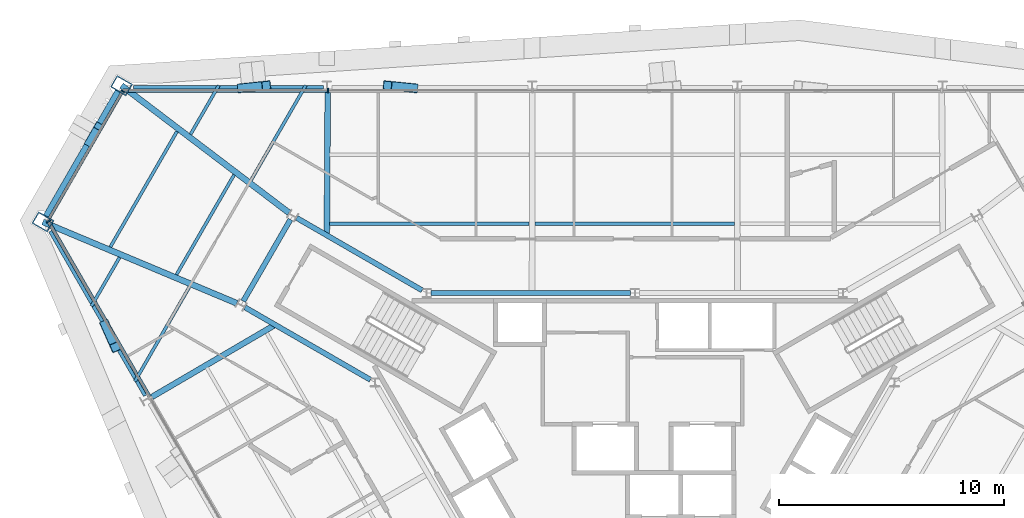
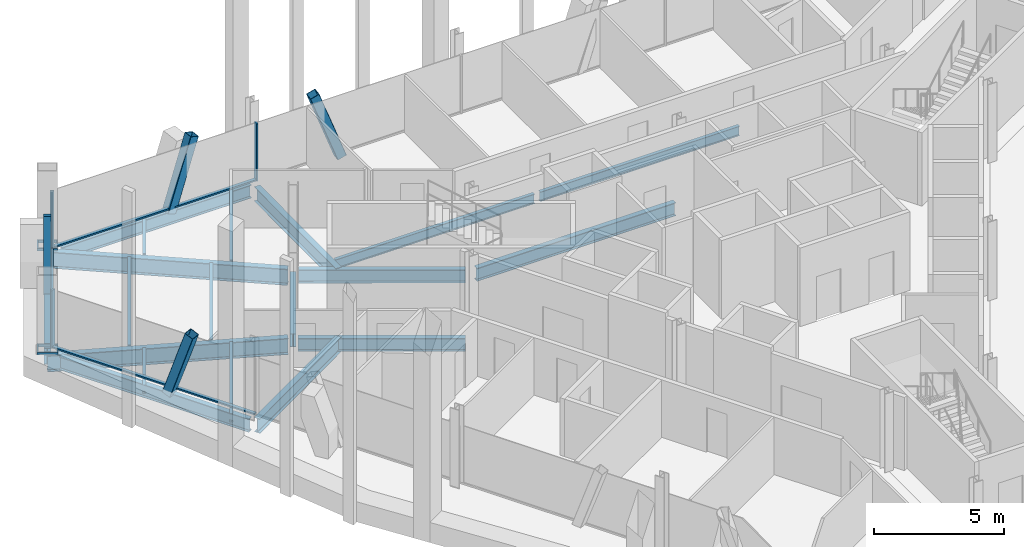
# One storey, part 6 of 16: 19 beams, 12 members, 3 elements without a shape of their own.
"""IFC4 building model written with IfcOpenShell, lengths in metres."""

from ifc_helpers import new_model, si_unit, direction, frame, origin, origin_2d, place, context, subcontext, project, spatial, rectangle, hollow_rectangle, i_section, extrude, material, material_profile, profile_set, type_object, element, aggregate, save


model = new_model("IFC4")

# Units and contexts
model_context = context("Model", 3, precision=1e-05, world=origin(), true_north=direction((0.0, 1.0)))
body_context = subcontext(model_context, "Body", "Model", "MODEL_VIEW")
ifc_project = project(units=[si_unit("LENGTHUNIT", "METRE"), si_unit("AREAUNIT", "SQUARE_METRE"), si_unit("VOLUMEUNIT", "CUBIC_METRE"), si_unit("PLANEANGLEUNIT", "RADIAN"), si_unit("MASSUNIT", "GRAM", prefix="KILO")], contexts=[model_context])

# Site, building, storey
site_placement = place(None, origin())
site = spatial("IfcSite", under=ifc_project, at=site_placement, CompositionType="ELEMENT")
building_placement = place(site_placement, origin())
building = spatial("IfcBuilding", under=site, at=building_placement, Name="Verrane Prism Tower", CompositionType="ELEMENT")
storey_placement = place(building_placement, frame((0.0, 0.0, 247.10009765625)))
storey = spatial("IfcBuildingStorey", under=building, at=storey_placement, Name="L62", CompositionType="ELEMENT", Elevation=247.10009765625)

# Member
ifc_material_1 = material(Name="Steel A500 Grade C", Category="steel")
ifc_material_profile_1 = material_profile(ifc_material_1, hollow_rectangle(XDim=0.3046875, YDim=0.3046875, WallThickness=0.0126953125, InnerFilletRadius=0.00634765625, OuterFilletRadius=0.01904296875, at=origin_2d()), Name="HSS12x12x1/2")
ifc_profile_set_1 = profile_set([ifc_material_profile_1], Name="Steel A500 Grade C")
member_type_1 = type_object("IfcMemberType", Name="Chamfer brace HSS12x12x1/2", PredefinedType="BRACE", material=ifc_profile_set_1)
member_1_placement = place(storey_placement, frame((-24.300048828125, 14.697998046875, -0.24267578125), z_axis=(0.130489501537, 0.226252569776, 0.965288694981), x_axis=(-0.866253239443, 0.499605169263, 0.0)))
element("IfcMember", 1, at=member_1_placement, inside=storey, type_object=member_type_1, Name="Chamfer brace NW0 L62", PredefinedType="BRACE", context=body_context, shape_type="SweptSolid", body=[
    extrude(hollow_rectangle(XDim=0.3046875, YDim=0.3046875, WallThickness=0.0126953125, InnerFilletRadius=0.00634765625, OuterFilletRadius=0.01904296875, at=origin_2d()), origin(), (0.0, 0.0, 1.0), 3.219970703125),
])

# Beams
ifc_material_2 = material(Name="Steel A992", Category="steel")
ifc_material_profile_2 = material_profile(ifc_material_2, i_section(OverallWidth=0.2666015625, OverallDepth=0.7568359375, WebThickness=0.013916015625, FlangeThickness=0.019287109375, FilletRadius=0.0166015625, at=origin_2d()), Name="W30x108")
ifc_profile_set_2 = profile_set([ifc_material_profile_2], Name="Steel A992")
beam_type_1 = type_object("IfcBeamType", Name="Chamfer spandrel beam W30x108", PredefinedType="SPANDREL", material=ifc_profile_set_2)
beam_1_placement = place(storey_placement, frame((-22.989990234375, 16.97021484375, -0.53857421875), z_axis=(-0.499500311129, -0.866313707142, 0.0), x_axis=(0.866313707142, -0.499500311129, 0.0)))
element("IfcBeam", 2, at=beam_1_placement, inside=storey, type_object=beam_type_1, Name="Chamfer spandrel beam L62", PredefinedType="SPANDREL", context=body_context, shape_type="SweptSolid", body=[
    extrude(i_section(OverallWidth=0.2666015625, OverallDepth=0.7568359375, WebThickness=0.013916015625, FlangeThickness=0.019287109375, FilletRadius=0.0166015625, at=origin_2d()), origin(), (0.0, 0.0, 1.0), 6.40673828125),
])
ifc_material_3 = material(Name="Steel A992", Category="steel")
ifc_material_profile_3 = material_profile(ifc_material_3, i_section(OverallWidth=0.23046875, OverallDepth=0.6171875, WebThickness=0.01318359375, FlangeThickness=0.022216796875, FilletRadius=0.012939453125, at=origin_2d()), Name="W24x94")
ifc_profile_set_3 = profile_set([ifc_material_profile_3], Name="Steel A992")
beam_type_2 = type_object("IfcBeamType", Name="Core ring girder W24x94", PredefinedType="BEAM", material=ifc_profile_set_3)
beam_2_placement = place(storey_placement, frame((-0.199462890625, 8.0, -0.55859375), z_axis=(-1.0, 0.0, 0.0), x_axis=(0.0, -1.0, 0.0)))
element("IfcBeam", 3, at=beam_2_placement, inside=storey, type_object=beam_type_2, Name="Core ring girder L62", PredefinedType="BEAM", context=body_context, shape_type="SweptSolid", body=[
    extrude(i_section(OverallWidth=0.23046875, OverallDepth=0.6171875, WebThickness=0.01318359375, FlangeThickness=0.022216796875, FilletRadius=0.012939453125, at=origin_2d()), origin(), (0.0, 0.0, 1.0), 8.861083984375),
])
beam_3_placement = place(storey_placement, frame((-9.45947265625, 8.114990234375, -0.55859375), z_axis=(-0.866080992722, 0.499903704773, 0.0), x_axis=(-0.499903704773, -0.866080992722, 0.0)))
element("IfcBeam", 4, at=beam_3_placement, inside=storey, type_object=beam_type_2, Name="Core ring girder L62", PredefinedType="BEAM", context=body_context, shape_type="SweptSolid", body=[
    extrude(i_section(OverallWidth=0.23046875, OverallDepth=0.6171875, WebThickness=0.01318359375, FlangeThickness=0.022216796875, FilletRadius=0.012939453125, at=origin_2d()), origin(), (0.0, 0.0, 1.0), 6.451904296875),
])
beam_4_placement = place(storey_placement, frame((-15.3203125, 11.266357421875, -0.55859375), z_axis=(-0.500375511519, -0.865808493532, 0.0), x_axis=(0.865808493532, -0.500375511519, 0.0)))
element("IfcBeam", 5, at=beam_4_placement, inside=storey, type_object=beam_type_2, Name="Core ring girder L62", PredefinedType="BEAM", context=body_context, shape_type="SweptSolid", body=[
    extrude(i_section(OverallWidth=0.23046875, OverallDepth=0.6171875, WebThickness=0.01318359375, FlangeThickness=0.022216796875, FilletRadius=0.012939453125, at=origin_2d()), origin(), (0.0, 0.0, 1.0), 4.195556640625),
])
beam_5_placement = place(storey_placement, frame((-17.347412109375, 7.3603515625, -0.55859375), z_axis=(0.866080992722, -0.499903704773, 0.0), x_axis=(0.499903704773, 0.866080992722, 0.0)))
element("IfcBeam", 6, at=beam_5_placement, inside=storey, type_object=beam_type_2, Name="Core ring girder L62", PredefinedType="BEAM", context=body_context, shape_type="SweptSolid", body=[
    extrude(i_section(OverallWidth=0.23046875, OverallDepth=0.6171875, WebThickness=0.01318359375, FlangeThickness=0.022216796875, FilletRadius=0.012939453125, at=origin_2d()), origin(), (0.0, 0.0, 1.0), 6.451904296875),
])
ifc_material_4 = material(Name="Steel A992", Category="steel")
ifc_material_profile_4 = material_profile(ifc_material_4, i_section(OverallWidth=0.2666015625, OverallDepth=0.76708984375, WebThickness=0.014892578125, FlangeThickness=0.023681640625, FilletRadius=0.0166015625, at=origin_2d()), Name="W30x124")
ifc_profile_set_4 = profile_set([ifc_material_profile_4], Name="Steel A992")
beam_type_3 = type_object("IfcBeamType", Name="Corner girder W30x124", PredefinedType="BEAM", material=ifc_profile_set_4)
beam_6_placement = place(storey_placement, frame((-22.838134765625, 17.228515625, -0.603515625), z_axis=(0.796227983739, -0.604996692479, 0.0), x_axis=(0.604996692479, 0.796227983739, 0.0)))
element("IfcBeam", 7, at=beam_6_placement, inside=storey, type_object=beam_type_3, Name="Corner girder L62", PredefinedType="BEAM", context=body_context, shape_type="SweptSolid", body=[
    extrude(i_section(OverallWidth=0.2666015625, OverallDepth=0.76708984375, WebThickness=0.014892578125, FlangeThickness=0.023681640625, FilletRadius=0.0166015625, at=origin_2d()), origin(), (0.0, 0.0, 1.0), 9.366943359375),
])
beam_7_placement = place(storey_placement, frame((-26.3388671875, 11.15966796875, -0.603515625), z_axis=(0.92214457492, -0.386845425132, 0.0), x_axis=(0.386845425132, 0.92214457492, 0.0)))
element("IfcBeam", 8, at=beam_7_placement, inside=storey, type_object=beam_type_3, Name="Corner girder L62", PredefinedType="BEAM", context=body_context, shape_type="SweptSolid", body=[
    extrude(i_section(OverallWidth=0.2666015625, OverallDepth=0.76708984375, WebThickness=0.014892578125, FlangeThickness=0.023681640625, FilletRadius=0.0166015625, at=origin_2d()), origin(), (0.0, 0.0, 1.0), 9.362548828125),
])

# Members
ifc_material_5 = material(Name="Steel A500 Grade C", Category="steel")
ifc_material_profile_5 = material_profile(ifc_material_5, hollow_rectangle(XDim=0.406494140625, YDim=0.406494140625, WallThickness=0.01904296875, InnerFilletRadius=0.009521484375, OuterFilletRadius=0.028564453125, at=origin_2d()), Name="HSS16x16x3/4")
ifc_profile_set_5 = profile_set([ifc_material_profile_5], Name="Steel A500 Grade C")
member_type_2 = type_object("IfcMemberType", Name="Facade brace HSS16x16x3/4", PredefinedType="BRACE", material=ifc_profile_set_5)
member_2_placement = place(storey_placement, frame((-9.849609375, 17.114501953125, -0.216796875), z_axis=(-0.338643485392, 0.033972082416, 0.940301274815), x_axis=(-0.099817124771, -0.995005799783, 0.0)))
element("IfcMember", 9, at=member_2_placement, inside=storey, type_object=member_type_2, Name="Facade brace N3 L62", PredefinedType="BRACE", context=body_context, shape_type="SweptSolid", body=[
    extrude(hollow_rectangle(XDim=0.406494140625, YDim=0.406494140625, WallThickness=0.01904296875, InnerFilletRadius=0.009521484375, OuterFilletRadius=0.028564453125, at=origin_2d()), origin(), (0.0, 0.0, 1.0), 3.399169921875),
])
member_3_placement = place(storey_placement, frame((-17.480224609375, 17.114501953125, -0.216796875), z_axis=(0.320853713281, 0.034196441276, 0.946511224486), x_axis=(-0.105979319964, 0.994368334039, 0.0)))
element("IfcMember", 10, at=member_3_placement, inside=storey, type_object=member_type_2, Name="Facade brace N4 L62", PredefinedType="BRACE", context=body_context, shape_type="SweptSolid", body=[
    extrude(hollow_rectangle(XDim=0.406494140625, YDim=0.406494140625, WallThickness=0.01904296875, InnerFilletRadius=0.009521484375, OuterFilletRadius=0.028564453125, at=origin_2d()), origin(), (0.0, 0.0, 1.0), 3.376953125),
])
member_4_placement = place(storey_placement, frame((-23.560791015625, 6.579345703125, -0.216796875), z_axis=(0.131006907895, -0.294765542763, 0.946546599425), x_axis=(0.91381154862, 0.406138466053, 0.0)))
element("IfcMember", 11, at=member_4_placement, inside=storey, type_object=member_type_2, Name="Facade brace SW0 L62", PredefinedType="BRACE", context=body_context, shape_type="SweptSolid", body=[
    extrude(hollow_rectangle(XDim=0.406494140625, YDim=0.406494140625, WallThickness=0.01904296875, InnerFilletRadius=0.009521484375, OuterFilletRadius=0.028564453125, at=origin_2d()), origin(), (0.0, 0.0, 1.0), 3.376708984375),
])

# Beams
ifc_material_6 = material(Name="Steel A992", Category="steel")
ifc_material_profile_6 = material_profile(ifc_material_6, i_section(OverallWidth=0.140380859375, OverallDepth=0.40380859375, WebThickness=0.007080078125, FlangeThickness=0.01123046875, FilletRadius=0.01025390625, at=origin_2d()), Name="W16x31")
ifc_profile_set_6 = profile_set([ifc_material_profile_6], Name="Steel A992")
beam_type_4 = type_object("IfcBeamType", Name="Floor beam W16x31", PredefinedType="BEAM", material=ifc_profile_set_6)
beam_8_placement = place(storey_placement, frame((-17.073974609375, 13.016357421875, -0.362060546875), z_axis=(0.499981623307, 0.866036013313, 0.0), x_axis=(-0.866036013313, 0.499981623307, 0.0)))
element("IfcBeam", 12, at=beam_8_placement, inside=storey, type_object=beam_type_4, Name="Floor beam L62", PredefinedType="BEAM", context=body_context, shape_type="SweptSolid", body=[
    extrude(i_section(OverallWidth=0.140380859375, OverallDepth=0.40380859375, WebThickness=0.007080078125, FlangeThickness=0.01123046875, FilletRadius=0.01025390625, at=origin_2d()), origin(), (0.0, 0.0, 1.0), 4.865478515625),
])
beam_9_placement = place(storey_placement, frame((-19.7626953125, 15.0595703125, -0.362060546875), z_axis=(0.499952953824, 0.866052564203, 0.0), x_axis=(-0.866052564203, 0.499952953824, 0.0)))
element("IfcBeam", 13, at=beam_9_placement, inside=storey, type_object=beam_type_4, Name="Floor beam L62", PredefinedType="BEAM", context=body_context, shape_type="SweptSolid", body=[
    extrude(i_section(OverallWidth=0.140380859375, OverallDepth=0.40380859375, WebThickness=0.007080078125, FlangeThickness=0.01123046875, FilletRadius=0.01025390625, at=origin_2d()), origin(), (0.0, 0.0, 1.0), 2.506103515625),
])
beam_10_placement = place(storey_placement, frame((-22.241455078125, 4.06591796875, -0.362060546875), z_axis=(0.499984730997, 0.866034219168, 0.0), x_axis=(-0.866034219168, 0.499984730997, 0.0)))
element("IfcBeam", 14, at=beam_10_placement, inside=storey, type_object=beam_type_4, Name="Floor beam L62", PredefinedType="BEAM", context=body_context, shape_type="SweptSolid", body=[
    extrude(i_section(OverallWidth=0.140380859375, OverallDepth=0.40380859375, WebThickness=0.007080078125, FlangeThickness=0.01123046875, FilletRadius=0.01025390625, at=origin_2d()), origin(), (0.0, 0.0, 1.0), 4.861572265625),
])
beam_11_placement = place(storey_placement, frame((-24.17529296875, 7.4130859375, -0.362060546875), z_axis=(0.500029068389, 0.866008620492, 0.0), x_axis=(-0.866008620492, 0.500029068389, 0.0)))
element("IfcBeam", 15, at=beam_11_placement, inside=storey, type_object=beam_type_4, Name="Floor beam L62", PredefinedType="BEAM", context=body_context, shape_type="SweptSolid", body=[
    extrude(i_section(OverallWidth=0.140380859375, OverallDepth=0.40380859375, WebThickness=0.007080078125, FlangeThickness=0.01123046875, FilletRadius=0.01025390625, at=origin_2d()), origin(), (0.0, 0.0, 1.0), 2.504150390625),
])
beam_12_placement = place(storey_placement, frame((-20.392822265625, 8.809814453125, -0.362060546875), z_axis=(0.499987429501, 0.866032661244, 0.0), x_axis=(-0.866032661244, 0.499987429501, 0.0)))
element("IfcBeam", 16, at=beam_12_placement, inside=storey, type_object=beam_type_4, Name="Floor beam L62", PredefinedType="BEAM", context=body_context, shape_type="SweptSolid", body=[
    extrude(i_section(OverallWidth=0.140380859375, OverallDepth=0.40380859375, WebThickness=0.007080078125, FlangeThickness=0.01123046875, FilletRadius=0.01025390625, at=origin_2d()), origin(), (0.0, 0.0, 1.0), 5.131103515625),
])
beam_13_placement = place(storey_placement, frame((-23.334716796875, 10.0439453125, -0.362060546875), z_axis=(0.500019194352, 0.866014321637, 0.0), x_axis=(-0.866014321637, 0.500019194352, 0.0)))
element("IfcBeam", 17, at=beam_13_placement, inside=storey, type_object=beam_type_4, Name="Floor beam L62", PredefinedType="BEAM", context=body_context, shape_type="SweptSolid", body=[
    extrude(i_section(OverallWidth=0.140380859375, OverallDepth=0.40380859375, WebThickness=0.007080078125, FlangeThickness=0.01123046875, FilletRadius=0.01025390625, at=origin_2d()), origin(), (0.0, 0.0, 1.0), 5.934814453125),
])
ifc_material_7 = material(Name="Steel A992", Category="steel")
ifc_material_profile_7 = material_profile(ifc_material_7, i_section(OverallWidth=0.15234375, OverallDepth=0.449462890625, WebThickness=0.007568359375, FlangeThickness=0.0107421875, FilletRadius=0.01025390625, at=origin_2d()), Name="W18x35")
ifc_profile_set_7 = profile_set([ifc_material_profile_7], Name="Steel A992")
beam_type_5 = type_object("IfcBeamType", Name="Floor beam W18x35", PredefinedType="BEAM", material=ifc_profile_set_7)
beam_14_placement = place(storey_placement, frame((-4.443115234375, 11.07666015625, -0.385009765625), z_axis=(1.0, 0.0, 0.0), x_axis=(0.0, 1.0, 0.0)))
element("IfcBeam", 18, at=beam_14_placement, inside=storey, type_object=beam_type_5, Name="Floor beam L62", PredefinedType="BEAM", context=body_context, shape_type="SweptSolid", body=[
    extrude(i_section(OverallWidth=0.15234375, OverallDepth=0.449462890625, WebThickness=0.007568359375, FlangeThickness=0.0107421875, FilletRadius=0.01025390625, at=origin_2d()), origin(), (0.0, 0.0, 1.0), 8.88623046875),
])
beam_15_placement = place(storey_placement, frame((-13.572998046875, 11.07666015625, -0.385009765625), z_axis=(1.0, 0.0, 0.0), x_axis=(0.0, 1.0, 0.0)))
element("IfcBeam", 19, at=beam_15_placement, inside=storey, type_object=beam_type_5, Name="Floor beam L62", PredefinedType="BEAM", context=body_context, shape_type="SweptSolid", body=[
    extrude(i_section(OverallWidth=0.15234375, OverallDepth=0.449462890625, WebThickness=0.007568359375, FlangeThickness=0.0107421875, FilletRadius=0.01025390625, at=origin_2d()), origin(), (0.0, 0.0, 1.0), 8.8759765625),
])

# Members
ifc_material_8 = material(Name="Steel A572 Grade 50", Category="steel")
ifc_material_profile_8 = material_profile(ifc_material_8, hollow_rectangle(XDim=0.60009765625, YDim=0.800048828125, WallThickness=0.050048828125, at=origin_2d()), Name="BOX 800x600x50")
ifc_profile_set_8 = profile_set([ifc_material_profile_8], Name="Steel A572 Grade 50")
member_type_3 = type_object("IfcMemberType", Name="Kink node BOX 800x600x50", PredefinedType="COLLAR", material=ifc_profile_set_8)
for number, where, z_axis, x_axis, name in (
    (20, (-22.83642578125, 17.223876953125, -0.065185546875), (0.0, 0.0, 1.0), (0.5, 0.866025403784, 0.0), "Kink node MC4 L62"),
    (21, (-26.3330078125, 11.159912109375, -0.065185546875), (0.0, 0.0, 1.0), (0.5, 0.866025403784, 0.0), "Kink node MC4 L62"),
):
    element("IfcMember", number, at=place(storey_placement, frame(where, z_axis=z_axis, x_axis=x_axis)), inside=storey, type_object=member_type_3, Name=name, PredefinedType="COLLAR", context=body_context, shape_type="SweptSolid", body=[
        extrude(hollow_rectangle(XDim=0.60009765625, YDim=0.800048828125, WallThickness=0.050048828125, at=origin_2d()), origin(), (0.0, 0.0, 1.0), 0.130126953125),
    ])

# Curtain wall, member
ifc_material_9 = material(Name="Aluminium framed insulated glazing", Category="aluminium")
curtain_wall_type_1 = type_object("IfcCurtainWallType", Name="Curtain wall CW-B 5600 module", PredefinedType="NOTDEFINED", material=ifc_material_9)
curtain_wall_1_placement = place(storey_placement, origin())
curtain_wall_1 = element("IfcCurtainWall", 22, at=curtain_wall_1_placement, inside=storey, type_object=curtain_wall_type_1, Name="Glazed curtain wall north-west corner L62", PredefinedType="NOTDEFINED")
ifc_material_10 = material(Name="Aluminium alloy 6063-T6", Category="aluminium")
ifc_material_profile_9 = material_profile(ifc_material_10, rectangle(XDim=0.159912109375, YDim=0.06005859375, at=origin_2d()), Name="Mullion 60x160 aluminium")
ifc_profile_set_9 = profile_set([ifc_material_profile_9], Name="Aluminium alloy 6063-T6")
member_type_4 = type_object("IfcMemberType", Name="Mullion 60x160 aluminium", PredefinedType="MULLION", material=ifc_profile_set_9)
member_5_placement = place(storey_placement, frame((-22.779052734375, 16.975830078125, 0.0), z_axis=(0.0, 0.0, 1.0), x_axis=(0.866027625781, -0.49999615137, 0.0)))
member_5 = element("IfcMember", 23, at=member_5_placement, type_object=member_type_4, Name="CW62.3 mullion 1", PredefinedType="MULLION", context=body_context, shape_type="SweptSolid", body=[
    extrude(rectangle(XDim=0.159912109375, YDim=0.06005859375, at=origin_2d()), origin(), (0.0, 0.0, 1.0), 2.712890625),
])

ifc_material_11 = material(Name="Aluminium framed insulated glazing", Category="aluminium")
curtain_wall_type_2 = type_object("IfcCurtainWallType", Name="Curtain wall CW-A 8400 module", PredefinedType="NOTDEFINED", material=ifc_material_11)
curtain_wall_2_placement = place(storey_placement, origin())
curtain_wall_2 = element("IfcCurtainWall", 24, at=curtain_wall_2_placement, inside=storey, type_object=curtain_wall_type_2, Name="Glazed curtain wall north face L62", PredefinedType="NOTDEFINED")
ifc_material_12 = material(Name="Aluminium alloy 6063-T6", Category="aluminium")
ifc_material_profile_10 = material_profile(ifc_material_12, rectangle(XDim=0.199951171875, YDim=0.070068359375, at=origin_2d()), Name="Mullion 70x200 aluminium")
ifc_profile_set_10 = profile_set([ifc_material_profile_10], Name="Aluminium alloy 6063-T6")
member_type_5 = type_object("IfcMemberType", Name="Mullion 70x200 aluminium", PredefinedType="MULLION", material=ifc_profile_set_10)
member_6_placement = place(storey_placement, frame((-13.658447265625, 17.001708984375, 0.0), z_axis=(0.0, 0.0, 1.0), x_axis=(0.0, -1.0, 0.0)))
member_6 = element("IfcMember", 25, at=member_6_placement, type_object=member_type_5, Name="CW62.2 mullion 5", PredefinedType="MULLION", context=body_context, shape_type="SweptSolid", body=[
    extrude(rectangle(XDim=0.199951171875, YDim=0.070068359375, at=origin_2d()), origin(), (0.0, 0.0, 1.0), 2.712890625),
])

curtain_wall_3_placement = place(storey_placement, origin())
curtain_wall_3 = element("IfcCurtainWall", 26, at=curtain_wall_3_placement, inside=storey, type_object=curtain_wall_type_2, Name="Glazed curtain wall south-west face L62", PredefinedType="NOTDEFINED")
member_7_placement = place(storey_placement, frame((-26.08837890625, 11.18310546875, 0.0), z_axis=(0.0, 0.0, 1.0), x_axis=(0.866025525748, 0.499999788753, 0.0)))
member_7 = element("IfcMember", 27, at=member_7_placement, type_object=member_type_5, Name="CW62.4 mullion 1", PredefinedType="MULLION", context=body_context, shape_type="SweptSolid", body=[
    extrude(rectangle(XDim=0.199951171875, YDim=0.070068359375, at=origin_2d()), origin(), (0.0, 0.0, 1.0), 2.712890625),
])

# Beams
ifc_material_13 = material(Name="Steel A992", Category="steel")
ifc_material_profile_11 = material_profile(ifc_material_13, i_section(OverallWidth=0.25390625, OverallDepth=0.683349609375, WebThickness=0.012451171875, FlangeThickness=0.01904296875, FilletRadius=0.01513671875, at=origin_2d()), Name="W27x94")
ifc_profile_set_11 = profile_set([ifc_material_profile_11], Name="Steel A992")
beam_type_6 = type_object("IfcBeamType", Name="Radial girder W27x94", PredefinedType="BEAM", material=ifc_profile_set_11)
beam_16_placement = place(storey_placement, frame((-13.66162109375, 16.921630859375, -0.561767578125), z_axis=(-0.00602768747, -0.999981833327, 0.0), x_axis=(0.999981833327, -0.00602768747, 0.0)))
element("IfcBeam", 28, at=beam_16_placement, inside=storey, type_object=beam_type_6, Name="Radial girder L62", PredefinedType="BEAM", context=body_context, shape_type="SweptSolid", body=[
    extrude(i_section(OverallWidth=0.25390625, OverallDepth=0.683349609375, WebThickness=0.012451171875, FlangeThickness=0.01904296875, FilletRadius=0.01513671875, at=origin_2d()), origin(), (0.0, 0.0, 1.0), 6.35888671875),
])
beam_17_placement = place(storey_placement, frame((-21.484619140625, 3.37060546875, -0.561767578125), z_axis=(0.863000583358, 0.505202922719, 0.0), x_axis=(-0.505202922719, 0.863000583358, 0.0)))
element("IfcBeam", 29, at=beam_17_placement, inside=storey, type_object=beam_type_6, Name="Radial girder L62", PredefinedType="BEAM", context=body_context, shape_type="SweptSolid", body=[
    extrude(i_section(OverallWidth=0.25390625, OverallDepth=0.683349609375, WebThickness=0.012451171875, FlangeThickness=0.01904296875, FilletRadius=0.01513671875, at=origin_2d()), origin(), (0.0, 0.0, 1.0), 6.356689453125),
])
ifc_material_14 = material(Name="Steel A992", Category="steel")
ifc_material_profile_12 = material_profile(ifc_material_14, i_section(OverallWidth=0.23046875, OverallDepth=0.6171875, WebThickness=0.01318359375, FlangeThickness=0.022216796875, FilletRadius=0.012939453125, at=origin_2d()), Name="W24x94")
ifc_profile_set_12 = profile_set([ifc_material_profile_12], Name="Steel A992")
beam_type_7 = type_object("IfcBeamType", Name="Spandrel beam W24x94", PredefinedType="SPANDREL", material=ifc_profile_set_12)
beam_18_placement = place(storey_placement, frame((-13.85986328125, 17.114501953125, -0.46875), z_axis=(-1.0, 0.0, 0.0), x_axis=(0.0, -1.0, 0.0)))
element("IfcBeam", 30, at=beam_18_placement, inside=storey, type_object=beam_type_7, Name="Spandrel beam L62", PredefinedType="SPANDREL", context=body_context, shape_type="SweptSolid", body=[
    extrude(i_section(OverallWidth=0.23046875, OverallDepth=0.6171875, WebThickness=0.01318359375, FlangeThickness=0.022216796875, FilletRadius=0.012939453125, at=origin_2d()), origin(), (0.0, 0.0, 1.0), 8.45068359375),
])
beam_19_placement = place(storey_placement, frame((-25.9755859375, 10.760009765625, -0.46875), z_axis=(0.500155277805, -0.865935735539, 0.0), x_axis=(0.865935735539, 0.500155277805, 0.0)))
element("IfcBeam", 31, at=beam_19_placement, inside=storey, type_object=beam_type_7, Name="Spandrel beam L62", PredefinedType="SPANDREL", context=body_context, shape_type="SweptSolid", body=[
    extrude(i_section(OverallWidth=0.23046875, OverallDepth=0.6171875, WebThickness=0.01318359375, FlangeThickness=0.022216796875, FilletRadius=0.012939453125, at=origin_2d()), origin(), (0.0, 0.0, 1.0), 8.446533203125),
])

# Member
ifc_material_15 = material(Name="Aluminium alloy 6063-T6", Category="aluminium")
ifc_material_profile_13 = material_profile(ifc_material_15, rectangle(XDim=0.1201171875, YDim=0.06005859375, at=origin_2d()), Name="Transom 60x120 aluminium")
ifc_profile_set_13 = profile_set([ifc_material_profile_13], Name="Aluminium alloy 6063-T6")
member_type_6 = type_object("IfcMemberType", Name="Transom 60x120 aluminium", PredefinedType="USERDEFINED", material=ifc_profile_set_13)
member_8_placement = place(storey_placement, frame((-22.794189453125, 16.949951171875, 0.02978515625), z_axis=(-0.499972376636, -0.866041351554, 0.0), x_axis=(0.866041351554, -0.499972376636, 0.0)))
member_8 = element("IfcMember", 32, at=member_8_placement, type_object=member_type_6, Name="CW62.3 transom 1", ObjectType="TRANSOM", PredefinedType="USERDEFINED", context=body_context, shape_type="SweptSolid", body=[
    extrude(rectangle(XDim=0.1201171875, YDim=0.06005859375, at=origin_2d()), origin(), (0.0, 0.0, 1.0), 6.623779296875),
])

aggregate(curtain_wall_1, [member_5, member_8])

ifc_material_16 = material(Name="Aluminium alloy 6063-T6", Category="aluminium")
ifc_material_profile_14 = material_profile(ifc_material_16, rectangle(XDim=0.14990234375, YDim=0.070068359375, at=origin_2d()), Name="Transom 70x150 aluminium")
ifc_profile_set_14 = profile_set([ifc_material_profile_14], Name="Aluminium alloy 6063-T6")
member_type_7 = type_object("IfcMemberType", Name="Transom 70x150 aluminium", PredefinedType="USERDEFINED", material=ifc_profile_set_14)
member_9_placement = place(storey_placement, frame((-13.693359375, 17.001708984375, 0.034912109375), z_axis=(-1.0, 0.0, 0.0), x_axis=(0.0, -1.0, 0.0)))
member_9 = element("IfcMember", 33, at=member_9_placement, type_object=member_type_7, Name="CW62.2 transom 5", ObjectType="TRANSOM", PredefinedType="USERDEFINED", context=body_context, shape_type="SweptSolid", body=[
    extrude(rectangle(XDim=0.14990234375, YDim=0.070068359375, at=origin_2d()), origin(), (0.0, 0.0, 1.0), 9.07080078125),
])

aggregate(curtain_wall_2, [member_6, member_9])

member_10_placement = place(storey_placement, frame((-26.071044921875, 11.15283203125, 0.034912109375), z_axis=(0.49998699247, -0.866032913555, 0.0), x_axis=(0.866032913555, 0.49998699247, 0.0)))
member_10 = element("IfcMember", 34, at=member_10_placement, type_object=member_type_7, Name="CW62.4 transom 1", ObjectType="TRANSOM", PredefinedType="USERDEFINED", context=body_context, shape_type="SweptSolid", body=[
    extrude(rectangle(XDim=0.14990234375, YDim=0.070068359375, at=origin_2d()), origin(), (0.0, 0.0, 1.0), 9.000732421875),
])

aggregate(curtain_wall_3, [member_7, member_10])

save(model, "model.ifc")
